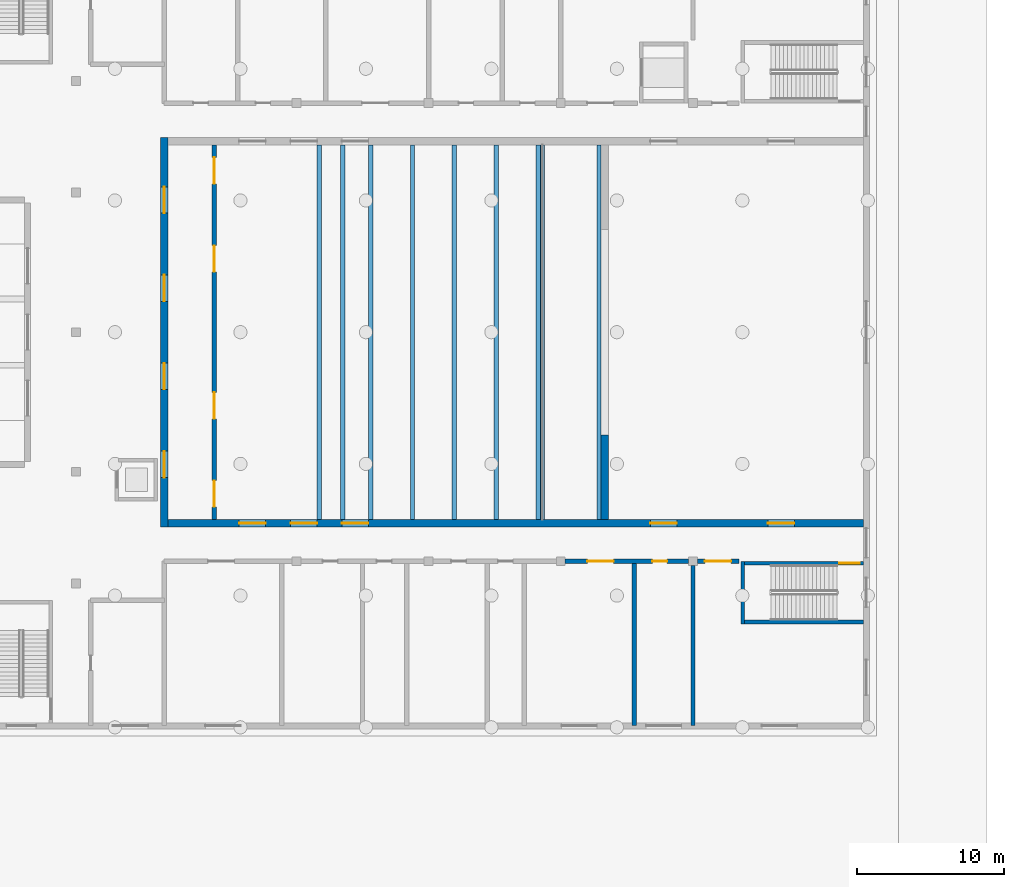
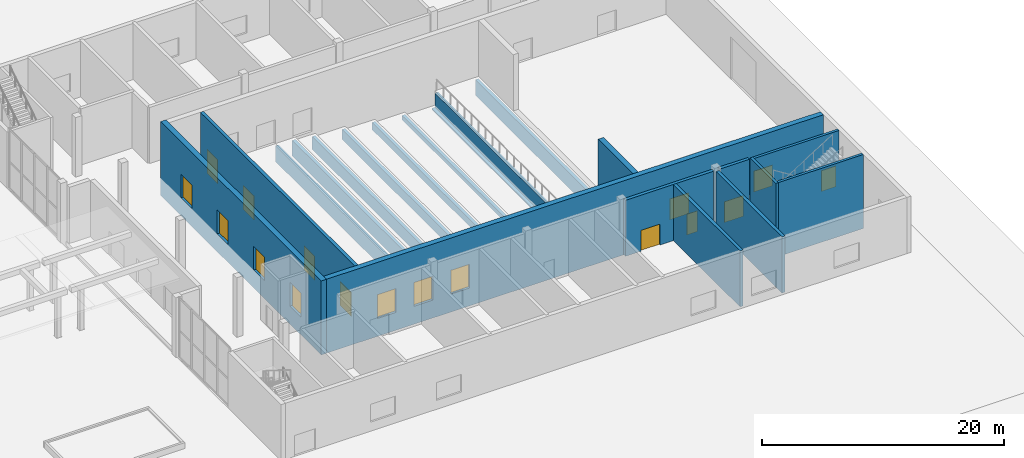
# One storey, part 25 of 47: 20 walls, 17 doors, 17 openings.
"""IFC4 building model written with IfcOpenShell, lengths in metres."""

from ifc_helpers import new_model, si_unit, direction, frame, frame_2d, origin, place, context, subcontext, project, spatial, rectangle, extrude, material, layer, layer_set, type_object, element, fill, save


model = new_model("IFC4")

# Units and contexts
model_context = context("Model", 3, precision=1e-05, world=origin(), true_north=direction((0.0, 1.0)))
body_context = subcontext(model_context, "Body", "Model", "MODEL_VIEW")
ifc_project = project(units=[si_unit("LENGTHUNIT", "METRE"), si_unit("AREAUNIT", "SQUARE_METRE"), si_unit("VOLUMEUNIT", "CUBIC_METRE"), si_unit("PLANEANGLEUNIT", "RADIAN"), si_unit("MASSUNIT", "GRAM", prefix="KILO")], contexts=[model_context])

# Site, building, storey
site_placement = place(None, origin())
site = spatial("IfcSite", under=ifc_project, at=site_placement, CompositionType="ELEMENT")
building_placement = place(site_placement, origin())
building = spatial("IfcBuilding", under=site, at=building_placement, Name="Hunhe Ridgeline Campus", CompositionType="ELEMENT")
storey_placement = place(building_placement, origin())
storey = spatial("IfcBuildingStorey", under=building, at=storey_placement, Name="L00", CompositionType="ELEMENT", Elevation=0.0)

# Wall, openings, doors
ifc_material_1 = material(Name="Concrete C50", Category="concrete")
ifc_layer_1 = layer(ifc_material_1, 0.5)
ifc_layer_set_1 = layer_set([ifc_layer_1], Name="Auditorium RC wall 500 C50")
wall_type_1 = type_object("IfcWallType", Name="Auditorium RC wall 500 C50", PredefinedType="SOLIDWALL", material=ifc_layer_set_1)
wall_1_placement = place(storey_placement, frame((162.0, 36.25, -1.800048828125), z_axis=(0.0, 0.0, 1.0), x_axis=(0.0, 1.0, 0.0)))
wall_1 = element("IfcWall", 1, at=wall_1_placement, inside=storey, type_object=wall_type_1, Name="Auditorium RC wall L00", PredefinedType="SOLIDWALL", context=body_context, shape_type="SweptSolid", body=[
    extrude(rectangle(XDim=26.5, YDim=0.5, at=frame_2d((13.25, 0.0))), origin(), (0.0, 0.0, 1.0), 7.449951171875),
])
opening_1_placement = place(wall_1_placement, frame((3.35009765625, 0.0, 1.800048828125)))
opening_1 = element("IfcOpeningElement", 2, at=opening_1_placement, cuts=wall_1, Name="Opening HD57", PredefinedType="OPENING", context=body_context, shape_type="SweptSolid", body=[
    extrude(rectangle(XDim=1.800048828125, YDim=2.39990234375, at=frame_2d((0.89990234375, 1.199951171875))), frame((0.0, 0.25, 0.0), z_axis=(0.0, -1.0, 0.0), x_axis=(1.0, 0.0, 0.0)), (0.0, 0.0, 1.0), 0.5),
])
opening_2_placement = place(wall_1_placement, frame((9.35009765625, 0.0, 1.800048828125)))
opening_2 = element("IfcOpeningElement", 3, at=opening_2_placement, cuts=wall_1, Name="Opening HD58", PredefinedType="OPENING", context=body_context, shape_type="SweptSolid", body=[
    extrude(rectangle(XDim=1.800048828125, YDim=2.39990234375, at=frame_2d((0.89990234375, 1.199951171875))), frame((0.0, 0.25, 0.0), z_axis=(0.0, -1.0, 0.0), x_axis=(1.0, 0.0, 0.0)), (0.0, 0.0, 1.0), 0.5),
])
opening_3_placement = place(wall_1_placement, frame((15.35009765625, 0.0, 1.800048828125)))
opening_3 = element("IfcOpeningElement", 4, at=opening_3_placement, cuts=wall_1, Name="Opening HD59", PredefinedType="OPENING", context=body_context, shape_type="SweptSolid", body=[
    extrude(rectangle(XDim=1.800048828125, YDim=2.39990234375, at=frame_2d((0.89990234375, 1.199951171875))), frame((0.0, 0.25, 0.0), z_axis=(0.0, -1.0, 0.0), x_axis=(1.0, 0.0, 0.0)), (0.0, 0.0, 1.0), 0.5),
])
opening_4_placement = place(wall_1_placement, frame((21.35009765625, 0.0, 1.800048828125)))
opening_4 = element("IfcOpeningElement", 5, at=opening_4_placement, cuts=wall_1, Name="Opening HD60", PredefinedType="OPENING", context=body_context, shape_type="SweptSolid", body=[
    extrude(rectangle(XDim=1.800048828125, YDim=2.39990234375, at=frame_2d((0.89990234375, 1.199951171875))), frame((0.0, 0.25, 0.0), z_axis=(0.0, -1.0, 0.0), x_axis=(1.0, 0.0, 0.0)), (0.0, 0.0, 1.0), 0.5),
])
ifc_material_2 = material(Name="Timber and lead-lined core", Category="wood")
door_type_1 = type_object("IfcDoorType", Name="Auditorium acoustic double door 1800x2400", OperationType="DOUBLE_DOOR_SINGLE_SWING", PredefinedType="DOOR", material=ifc_material_2)
door_1_placement = place(opening_1_placement, origin())
door_1 = element("IfcDoor", 6, at=door_1_placement, inside=storey, type_object=door_type_1, Name="Auditorium entrance door", OperationType="DOUBLE_DOOR_SINGLE_SWING", OverallHeight=2.39990234375, OverallWidth=1.800048828125, PredefinedType="DOOR", context=body_context, shape_type="SweptSolid", body=[
    extrude(rectangle(XDim=1.800048828125, YDim=2.39990234375, at=frame_2d((0.89990234375, 1.199951171875))), frame((0.0, 0.02490234375, 0.0), z_axis=(0.0, -1.0, 0.0), x_axis=(1.0, 0.0, 0.0)), (0.0, 0.0, 1.0), 0.050048828125),
])
fill(opening_1, door_1)
door_2_placement = place(opening_2_placement, origin())
door_2 = element("IfcDoor", 7, at=door_2_placement, inside=storey, type_object=door_type_1, Name="Auditorium entrance door", OperationType="DOUBLE_DOOR_SINGLE_SWING", OverallHeight=2.39990234375, OverallWidth=1.800048828125, PredefinedType="DOOR", context=body_context, shape_type="SweptSolid", body=[
    extrude(rectangle(XDim=1.800048828125, YDim=2.39990234375, at=frame_2d((0.89990234375, 1.199951171875))), frame((0.0, 0.02490234375, 0.0), z_axis=(0.0, -1.0, 0.0), x_axis=(1.0, 0.0, 0.0)), (0.0, 0.0, 1.0), 0.050048828125),
])
fill(opening_2, door_2)
door_3_placement = place(opening_3_placement, origin())
door_3 = element("IfcDoor", 8, at=door_3_placement, inside=storey, type_object=door_type_1, Name="Auditorium entrance door", OperationType="DOUBLE_DOOR_SINGLE_SWING", OverallHeight=2.39990234375, OverallWidth=1.800048828125, PredefinedType="DOOR", context=body_context, shape_type="SweptSolid", body=[
    extrude(rectangle(XDim=1.800048828125, YDim=2.39990234375, at=frame_2d((0.89990234375, 1.199951171875))), frame((0.0, 0.02490234375, 0.0), z_axis=(0.0, -1.0, 0.0), x_axis=(1.0, 0.0, 0.0)), (0.0, 0.0, 1.0), 0.050048828125),
])
fill(opening_3, door_3)
door_4_placement = place(opening_4_placement, origin())
door_4 = element("IfcDoor", 9, at=door_4_placement, inside=storey, type_object=door_type_1, Name="Auditorium entrance door", OperationType="DOUBLE_DOOR_SINGLE_SWING", OverallHeight=2.39990234375, OverallWidth=1.800048828125, PredefinedType="DOOR", context=body_context, shape_type="SweptSolid", body=[
    extrude(rectangle(XDim=1.800048828125, YDim=2.39990234375, at=frame_2d((0.89990234375, 1.199951171875))), frame((0.0, 0.02490234375, 0.0), z_axis=(0.0, -1.0, 0.0), x_axis=(1.0, 0.0, 0.0)), (0.0, 0.0, 1.0), 0.050048828125),
])
fill(opening_4, door_4)

wall_2_placement = place(storey_placement, frame((209.60009765625, 36.5, -1.800048828125), z_axis=(0.0, 0.0, 1.0), x_axis=(-1.0, 0.0, 0.0)))
wall_2 = element("IfcWall", 10, at=wall_2_placement, inside=storey, type_object=wall_type_1, Name="Auditorium RC wall L00", PredefinedType="SOLIDWALL", context=body_context, shape_type="SweptSolid", body=[
    extrude(rectangle(XDim=47.35009765625, YDim=0.5, at=frame_2d((23.675048828125, 0.0))), origin(), (0.0, 0.0, 1.0), 7.449951171875),
])
opening_5_placement = place(wall_2_placement, frame((40.699951171875, 0.0, 1.800048828125)))
opening_5 = element("IfcOpeningElement", 11, at=opening_5_placement, cuts=wall_2, Name="Opening HD65", PredefinedType="OPENING", context=body_context, shape_type="SweptSolid", body=[
    extrude(rectangle(XDim=1.800048828125, YDim=2.39990234375, at=frame_2d((0.89990234375, 1.199951171875))), frame((0.0, 0.25, 0.0), z_axis=(0.0, -1.0, 0.0), x_axis=(1.0, 0.0, 0.0)), (0.0, 0.0, 1.0), 0.5),
])
opening_6_placement = place(wall_2_placement, frame((37.199951171875, 0.0, 1.800048828125)))
opening_6 = element("IfcOpeningElement", 12, at=opening_6_placement, cuts=wall_2, Name="Opening HD67", PredefinedType="OPENING", context=body_context, shape_type="SweptSolid", body=[
    extrude(rectangle(XDim=1.800048828125, YDim=2.39990234375, at=frame_2d((0.89990234375, 1.199951171875))), frame((0.0, 0.25, 0.0), z_axis=(0.0, -1.0, 0.0), x_axis=(1.0, 0.0, 0.0)), (0.0, 0.0, 1.0), 0.5),
])
opening_7_placement = place(wall_2_placement, frame((33.699951171875, 0.0, 1.800048828125)))
opening_7 = element("IfcOpeningElement", 13, at=opening_7_placement, cuts=wall_2, Name="Opening HD69", PredefinedType="OPENING", context=body_context, shape_type="SweptSolid", body=[
    extrude(rectangle(XDim=1.800048828125, YDim=2.39990234375, at=frame_2d((0.89990234375, 1.199951171875))), frame((0.0, 0.25, 0.0), z_axis=(0.0, -1.0, 0.0), x_axis=(1.0, 0.0, 0.0)), (0.0, 0.0, 1.0), 0.5),
])
opening_8_placement = place(wall_2_placement, frame((12.699951171875, 0.0, 1.800048828125)))
opening_8 = element("IfcOpeningElement", 14, at=opening_8_placement, cuts=wall_2, Name="Opening HD71", PredefinedType="OPENING", context=body_context, shape_type="SweptSolid", body=[
    extrude(rectangle(XDim=1.800048828125, YDim=2.10009765625, at=frame_2d((0.89990234375, 1.050048828125))), frame((0.0, 0.25, 0.0), z_axis=(0.0, -1.0, 0.0), x_axis=(1.0, 0.0, 0.0)), (0.0, 0.0, 1.0), 0.5),
])
opening_9_placement = place(wall_2_placement, frame((4.699951171875, 0.0, 1.800048828125)))
opening_9 = element("IfcOpeningElement", 15, at=opening_9_placement, cuts=wall_2, Name="Opening HD73", PredefinedType="OPENING", context=body_context, shape_type="SweptSolid", body=[
    extrude(rectangle(XDim=1.800048828125, YDim=2.10009765625, at=frame_2d((0.89990234375, 1.050048828125))), frame((0.0, 0.25, 0.0), z_axis=(0.0, -1.0, 0.0), x_axis=(1.0, 0.0, 0.0)), (0.0, 0.0, 1.0), 0.5),
])
door_5_placement = place(opening_5_placement, origin())
door_5 = element("IfcDoor", 16, at=door_5_placement, inside=storey, type_object=door_type_1, Name="Stalls side exit door", OperationType="DOUBLE_DOOR_SINGLE_SWING", OverallHeight=2.39990234375, OverallWidth=1.800048828125, PredefinedType="DOOR", context=body_context, shape_type="SweptSolid", body=[
    extrude(rectangle(XDim=1.800048828125, YDim=2.39990234375, at=frame_2d((0.89990234375, 1.199951171875))), frame((0.0, 0.02490234375, 0.0), z_axis=(0.0, -1.0, 0.0), x_axis=(1.0, 0.0, 0.0)), (0.0, 0.0, 1.0), 0.050048828125),
])
fill(opening_5, door_5)
door_6_placement = place(opening_6_placement, origin())
door_6 = element("IfcDoor", 17, at=door_6_placement, inside=storey, type_object=door_type_1, Name="Stalls side exit door", OperationType="DOUBLE_DOOR_SINGLE_SWING", OverallHeight=2.39990234375, OverallWidth=1.800048828125, PredefinedType="DOOR", context=body_context, shape_type="SweptSolid", body=[
    extrude(rectangle(XDim=1.800048828125, YDim=2.39990234375, at=frame_2d((0.89990234375, 1.199951171875))), frame((0.0, 0.02490234375, 0.0), z_axis=(0.0, -1.0, 0.0), x_axis=(1.0, 0.0, 0.0)), (0.0, 0.0, 1.0), 0.050048828125),
])
fill(opening_6, door_6)
door_7_placement = place(opening_7_placement, origin())
door_7 = element("IfcDoor", 18, at=door_7_placement, inside=storey, type_object=door_type_1, Name="Stalls side exit door", OperationType="DOUBLE_DOOR_SINGLE_SWING", OverallHeight=2.39990234375, OverallWidth=1.800048828125, PredefinedType="DOOR", context=body_context, shape_type="SweptSolid", body=[
    extrude(rectangle(XDim=1.800048828125, YDim=2.39990234375, at=frame_2d((0.89990234375, 1.199951171875))), frame((0.0, 0.02490234375, 0.0), z_axis=(0.0, -1.0, 0.0), x_axis=(1.0, 0.0, 0.0)), (0.0, 0.0, 1.0), 0.050048828125),
])
fill(opening_7, door_7)
ifc_material_3 = material(Name="Timber", Category="wood")
door_type_2 = type_object("IfcDoorType", Name="Hall timber double door 1800x2100", OperationType="DOUBLE_DOOR_SINGLE_SWING", PredefinedType="DOOR", material=ifc_material_3)
door_8_placement = place(opening_8_placement, origin())
door_8 = element("IfcDoor", 19, at=door_8_placement, inside=storey, type_object=door_type_2, Name="Stage door", OperationType="DOUBLE_DOOR_SINGLE_SWING", OverallHeight=2.10009765625, OverallWidth=1.800048828125, PredefinedType="DOOR", context=body_context, shape_type="SweptSolid", body=[
    extrude(rectangle(XDim=1.800048828125, YDim=2.10009765625, at=frame_2d((0.89990234375, 1.050048828125))), frame((0.0, 0.02490234375, 0.0), z_axis=(0.0, -1.0, 0.0), x_axis=(1.0, 0.0, 0.0)), (0.0, 0.0, 1.0), 0.050048828125),
])
fill(opening_8, door_8)
door_9_placement = place(opening_9_placement, origin())
door_9 = element("IfcDoor", 20, at=door_9_placement, inside=storey, type_object=door_type_2, Name="Stage door", OperationType="DOUBLE_DOOR_SINGLE_SWING", OverallHeight=2.10009765625, OverallWidth=1.800048828125, PredefinedType="DOOR", context=body_context, shape_type="SweptSolid", body=[
    extrude(rectangle(XDim=1.800048828125, YDim=2.10009765625, at=frame_2d((0.89990234375, 1.050048828125))), frame((0.0, 0.02490234375, 0.0), z_axis=(0.0, -1.0, 0.0), x_axis=(1.0, 0.0, 0.0)), (0.0, 0.0, 1.0), 0.050048828125),
])
fill(opening_9, door_9)

# Wall
wall_3_placement = place(storey_placement, frame((192.0, 36.75, -1.800048828125), z_axis=(0.0, 0.0, 1.0), x_axis=(0.0, 1.0, 0.0)))
element("IfcWall", 21, at=wall_3_placement, inside=storey, type_object=wall_type_1, Name="Auditorium RC wall L00", PredefinedType="SOLIDWALL", context=body_context, shape_type="SweptSolid", body=[
    extrude(rectangle(XDim=5.75, YDim=0.5, at=frame_2d((2.875, 0.0))), origin(), (0.0, 0.0, 1.0), 7.449951171875),
])

# Wall, openings, doors
ifc_material_4 = material(Name="Plastered blockwork", Category="masonry")
ifc_layer_2 = layer(ifc_material_4, 0.300048828125)
ifc_layer_set_2 = layer_set([ifc_layer_2], Name="Hall blockwork partition 300")
wall_type_2 = type_object("IfcWallType", Name="Hall blockwork partition 300", PredefinedType="PARTITIONING", material=ifc_layer_set_2)
wall_4_placement = place(storey_placement, frame((165.39990234375, 36.75, 0.0), z_axis=(0.0, 0.0, 1.0), x_axis=(0.0, 1.0, 0.0)))
wall_4 = element("IfcWall", 22, at=wall_4_placement, inside=storey, type_object=wall_type_2, Name="Sound-lock partition", PredefinedType="PARTITIONING", context=body_context, shape_type="SweptSolid", body=[
    extrude(rectangle(XDim=25.5, YDim=0.300048828125, at=frame_2d((12.75, 0.0))), origin(), (0.0, 0.0, 1.0), 5.64990234375),
])
opening_10_placement = place(wall_4_placement, frame((0.85009765625, 0.0, 0.0)))
opening_10 = element("IfcOpeningElement", 23, at=opening_10_placement, cuts=wall_4, Name="Opening HD61", PredefinedType="OPENING", context=body_context, shape_type="SweptSolid", body=[
    extrude(rectangle(XDim=1.800048828125, YDim=2.39990234375, at=frame_2d((0.89990234375, 1.199951171875))), frame((0.0, 0.14990234375, 0.0), z_axis=(0.0, -1.0, 0.0), x_axis=(1.0, 0.0, 0.0)), (0.0, 0.0, 1.0), 0.300048828125),
])
opening_11_placement = place(wall_4_placement, frame((6.85009765625, 0.0, 0.0)))
opening_11 = element("IfcOpeningElement", 24, at=opening_11_placement, cuts=wall_4, Name="Opening HD62", PredefinedType="OPENING", context=body_context, shape_type="SweptSolid", body=[
    extrude(rectangle(XDim=1.800048828125, YDim=2.39990234375, at=frame_2d((0.89990234375, 1.199951171875))), frame((0.0, 0.14990234375, 0.0), z_axis=(0.0, -1.0, 0.0), x_axis=(1.0, 0.0, 0.0)), (0.0, 0.0, 1.0), 0.300048828125),
])
opening_12_placement = place(wall_4_placement, frame((16.85009765625, 0.0, 0.0)))
opening_12 = element("IfcOpeningElement", 25, at=opening_12_placement, cuts=wall_4, Name="Opening HD63", PredefinedType="OPENING", context=body_context, shape_type="SweptSolid", body=[
    extrude(rectangle(XDim=1.800048828125, YDim=2.39990234375, at=frame_2d((0.89990234375, 1.199951171875))), frame((0.0, 0.14990234375, 0.0), z_axis=(0.0, -1.0, 0.0), x_axis=(1.0, 0.0, 0.0)), (0.0, 0.0, 1.0), 0.300048828125),
])
opening_13_placement = place(wall_4_placement, frame((22.85009765625, 0.0, 0.0)))
opening_13 = element("IfcOpeningElement", 26, at=opening_13_placement, cuts=wall_4, Name="Opening HD64", PredefinedType="OPENING", context=body_context, shape_type="SweptSolid", body=[
    extrude(rectangle(XDim=1.800048828125, YDim=2.39990234375, at=frame_2d((0.89990234375, 1.199951171875))), frame((0.0, 0.14990234375, 0.0), z_axis=(0.0, -1.0, 0.0), x_axis=(1.0, 0.0, 0.0)), (0.0, 0.0, 1.0), 0.300048828125),
])
door_10_placement = place(opening_10_placement, origin())
door_10 = element("IfcDoor", 27, at=door_10_placement, inside=storey, type_object=door_type_1, Name="Sound-lock inner door", OperationType="DOUBLE_DOOR_SINGLE_SWING", OverallHeight=2.39990234375, OverallWidth=1.800048828125, PredefinedType="DOOR", context=body_context, shape_type="SweptSolid", body=[
    extrude(rectangle(XDim=1.800048828125, YDim=2.39990234375, at=frame_2d((0.89990234375, 1.199951171875))), frame((0.0, 0.02490234375, 0.0), z_axis=(0.0, -1.0, 0.0), x_axis=(1.0, 0.0, 0.0)), (0.0, 0.0, 1.0), 0.050048828125),
])
fill(opening_10, door_10)
door_11_placement = place(opening_11_placement, origin())
door_11 = element("IfcDoor", 28, at=door_11_placement, inside=storey, type_object=door_type_1, Name="Sound-lock inner door", OperationType="DOUBLE_DOOR_SINGLE_SWING", OverallHeight=2.39990234375, OverallWidth=1.800048828125, PredefinedType="DOOR", context=body_context, shape_type="SweptSolid", body=[
    extrude(rectangle(XDim=1.800048828125, YDim=2.39990234375, at=frame_2d((0.89990234375, 1.199951171875))), frame((0.0, 0.02490234375, 0.0), z_axis=(0.0, -1.0, 0.0), x_axis=(1.0, 0.0, 0.0)), (0.0, 0.0, 1.0), 0.050048828125),
])
fill(opening_11, door_11)
door_12_placement = place(opening_12_placement, origin())
door_12 = element("IfcDoor", 29, at=door_12_placement, inside=storey, type_object=door_type_1, Name="Sound-lock inner door", OperationType="DOUBLE_DOOR_SINGLE_SWING", OverallHeight=2.39990234375, OverallWidth=1.800048828125, PredefinedType="DOOR", context=body_context, shape_type="SweptSolid", body=[
    extrude(rectangle(XDim=1.800048828125, YDim=2.39990234375, at=frame_2d((0.89990234375, 1.199951171875))), frame((0.0, 0.02490234375, 0.0), z_axis=(0.0, -1.0, 0.0), x_axis=(1.0, 0.0, 0.0)), (0.0, 0.0, 1.0), 0.050048828125),
])
fill(opening_12, door_12)
door_13_placement = place(opening_13_placement, origin())
door_13 = element("IfcDoor", 30, at=door_13_placement, inside=storey, type_object=door_type_1, Name="Sound-lock inner door", OperationType="DOUBLE_DOOR_SINGLE_SWING", OverallHeight=2.39990234375, OverallWidth=1.800048828125, PredefinedType="DOOR", context=body_context, shape_type="SweptSolid", body=[
    extrude(rectangle(XDim=1.800048828125, YDim=2.39990234375, at=frame_2d((0.89990234375, 1.199951171875))), frame((0.0, 0.02490234375, 0.0), z_axis=(0.0, -1.0, 0.0), x_axis=(1.0, 0.0, 0.0)), (0.0, 0.0, 1.0), 0.050048828125),
])
fill(opening_13, door_13)

wall_5_placement = place(storey_placement, frame((189.300048828125, 33.89990234375, 0.0), z_axis=(0.0, 0.0, 1.0), x_axis=(1.0, 0.0, 0.0)))
wall_5 = element("IfcWall", 31, at=wall_5_placement, inside=storey, type_object=wall_type_2, Name="L00 partition", PredefinedType="PARTITIONING", context=body_context, shape_type="SweptSolid", body=[
    extrude(rectangle(XDim=8.39990234375, YDim=0.300048828125, at=frame_2d((4.199951171875, 0.0))), origin(), (0.0, 0.0, 1.0), 5.64990234375),
])
opening_14_placement = place(wall_5_placement, frame((1.5, 0.0, 0.0)))
opening_14 = element("IfcOpeningElement", 32, at=opening_14_placement, cuts=wall_5, Name="Opening HD08", PredefinedType="OPENING", context=body_context, shape_type="SweptSolid", body=[
    extrude(rectangle(XDim=1.800048828125, YDim=2.10009765625, at=frame_2d((0.89990234375, 1.050048828125))), frame((0.0, 0.14990234375, 0.0), z_axis=(0.0, -1.0, 0.0), x_axis=(1.0, 0.0, 0.0)), (0.0, 0.0, 1.0), 0.300048828125),
])
opening_15_placement = place(wall_5_placement, frame((5.929931640625, 0.0, 0.0)))
opening_15 = element("IfcOpeningElement", 33, at=opening_15_placement, cuts=wall_5, Name="Opening HD09", PredefinedType="OPENING", context=body_context, shape_type="SweptSolid", body=[
    extrude(rectangle(XDim=1.0, YDim=2.10009765625, at=frame_2d((0.5, 1.050048828125))), frame((0.0, 0.14990234375, 0.0), z_axis=(0.0, -1.0, 0.0), x_axis=(1.0, 0.0, 0.0)), (0.0, 0.0, 1.0), 0.300048828125),
])
door_type_3 = type_object("IfcDoorType", Name="Hall timber door 1000x2100", OperationType="NOTDEFINED", PredefinedType="DOOR", material=ifc_material_3)
door_14_placement = place(opening_15_placement, origin())
door_14 = element("IfcDoor", 34, at=door_14_placement, inside=storey, type_object=door_type_3, Name="Dressing room 3 door", OperationType="SINGLE_SWING_RIGHT", OverallHeight=2.10009765625, OverallWidth=1.0, PredefinedType="DOOR", context=body_context, shape_type="SweptSolid", body=[
    extrude(rectangle(XDim=1.0, YDim=2.10009765625, at=frame_2d((0.5, 1.050048828125))), frame((0.0, 0.02490234375, 0.0), z_axis=(0.0, -1.0, 0.0), x_axis=(1.0, 0.0, 0.0)), (0.0, 0.0, 1.0), 0.050048828125),
])
fill(opening_15, door_14)
door_15_placement = place(opening_14_placement, origin())
door_15 = element("IfcDoor", 35, at=door_15_placement, inside=storey, type_object=door_type_2, Name="Dressing room 1 door", OperationType="DOUBLE_DOOR_SINGLE_SWING", OverallHeight=2.10009765625, OverallWidth=1.800048828125, PredefinedType="DOOR", context=body_context, shape_type="SweptSolid", body=[
    extrude(rectangle(XDim=1.800048828125, YDim=2.10009765625, at=frame_2d((0.89990234375, 1.050048828125))), frame((0.0, 0.02490234375, 0.0), z_axis=(0.0, -1.0, 0.0), x_axis=(1.0, 0.0, 0.0)), (0.0, 0.0, 1.0), 0.050048828125),
])
fill(opening_14, door_15)

# Wall, opening, door
wall_6_placement = place(storey_placement, frame((198.300048828125, 33.89990234375, 0.0), z_axis=(0.0, 0.0, 1.0), x_axis=(1.0, 0.0, 0.0)))
wall_6 = element("IfcWall", 36, at=wall_6_placement, inside=storey, type_object=wall_type_2, Name="L00 partition", PredefinedType="PARTITIONING", context=body_context, shape_type="SweptSolid", body=[
    extrude(rectangle(XDim=2.820068359375, YDim=0.300048828125, at=frame_2d((1.41015625, 0.0))), origin(), (0.0, 0.0, 1.0), 5.64990234375),
])
opening_16_placement = place(wall_6_placement, frame((0.5, 0.0, 0.0)))
opening_16 = element("IfcOpeningElement", 37, at=opening_16_placement, cuts=wall_6, Name="Opening HD10", PredefinedType="OPENING", context=body_context, shape_type="SweptSolid", body=[
    extrude(rectangle(XDim=1.800048828125, YDim=2.10009765625, at=frame_2d((0.89990234375, 1.050048828125))), frame((0.0, 0.14990234375, 0.0), z_axis=(0.0, -1.0, 0.0), x_axis=(1.0, 0.0, 0.0)), (0.0, 0.0, 1.0), 0.300048828125),
])
door_16_placement = place(opening_16_placement, origin())
door_16 = element("IfcDoor", 38, at=door_16_placement, inside=storey, type_object=door_type_2, Name="Green room door", OperationType="DOUBLE_DOOR_SINGLE_SWING", OverallHeight=2.10009765625, OverallWidth=1.800048828125, PredefinedType="DOOR", context=body_context, shape_type="SweptSolid", body=[
    extrude(rectangle(XDim=1.800048828125, YDim=2.10009765625, at=frame_2d((0.89990234375, 1.050048828125))), frame((0.0, 0.02490234375, 0.0), z_axis=(0.0, -1.0, 0.0), x_axis=(1.0, 0.0, 0.0)), (0.0, 0.0, 1.0), 0.050048828125),
])
fill(opening_16, door_16)

# Walls
wall_7_placement = place(storey_placement, frame((194.0, 22.72998046875, 0.0), z_axis=(0.0, 0.0, 1.0), x_axis=(0.0, 1.0, 0.0)))
element("IfcWall", 39, at=wall_7_placement, inside=storey, type_object=wall_type_2, Name="L00 partition", PredefinedType="PARTITIONING", context=body_context, shape_type="SweptSolid", body=[
    extrude(rectangle(XDim=11.18994140625, YDim=0.300048828125, at=frame_2d((5.594970703125, 0.0))), origin(), (0.0, 0.0, 1.0), 5.64990234375),
])
wall_8_placement = place(storey_placement, frame((198.0, 22.72998046875, 0.0), z_axis=(0.0, 0.0, 1.0), x_axis=(0.0, 1.0, 0.0)))
element("IfcWall", 40, at=wall_8_placement, inside=storey, type_object=wall_type_2, Name="L00 partition", PredefinedType="PARTITIONING", context=body_context, shape_type="SweptSolid", body=[
    extrude(rectangle(XDim=10.8701171875, YDim=0.300048828125, at=frame_2d((5.43505859375, 0.0))), origin(), (0.0, 0.0, 1.0), 5.64990234375),
])
ifc_material_5 = material(Name="Concrete C40", Category="concrete")
ifc_layer_3 = layer(ifc_material_5, 0.25)
ifc_layer_set_3 = layer_set([ifc_layer_3], Name="Hall shaft wall 250 C40")
wall_type_3 = type_object("IfcWallType", Name="Hall shaft wall 250 C40", PredefinedType="SOLIDWALL", material=ifc_layer_set_3)
wall_9_placement = place(storey_placement, frame((201.375, 29.64990234375, -1.800048828125), z_axis=(0.0, 0.0, 1.0), x_axis=(0.0, 1.0, 0.0)))
element("IfcWall", 41, at=wall_9_placement, inside=storey, type_object=wall_type_3, Name="L00 stair HS3 shaft wall", PredefinedType="SOLIDWALL", context=body_context, shape_type="SweptSolid", body=[
    extrude(rectangle(XDim=4.25, YDim=0.25, at=frame_2d((2.125, 0.0))), origin(), (0.0, 0.0, 1.0), 7.449951171875),
])
wall_10_placement = place(storey_placement, frame((209.60009765625, 29.77490234375, -1.800048828125), z_axis=(0.0, 0.0, 1.0), x_axis=(-1.0, 0.0, 0.0)))
element("IfcWall", 42, at=wall_10_placement, inside=storey, type_object=wall_type_3, Name="L00 stair HS3 shaft wall", PredefinedType="SOLIDWALL", context=body_context, shape_type="SweptSolid", body=[
    extrude(rectangle(XDim=8.10009765625, YDim=0.25, at=frame_2d((4.050048828125, 0.0))), origin(), (0.0, 0.0, 1.0), 7.449951171875),
])

# Wall, opening, door
wall_11_placement = place(storey_placement, frame((201.5, 33.77490234375, -1.800048828125), z_axis=(0.0, 0.0, 1.0), x_axis=(1.0, 0.0, 0.0)))
wall_11 = element("IfcWall", 43, at=wall_11_placement, inside=storey, type_object=wall_type_3, Name="L00 stair HS3 shaft wall", PredefinedType="SOLIDWALL", context=body_context, shape_type="SweptSolid", body=[
    extrude(rectangle(XDim=8.10009765625, YDim=0.25, at=frame_2d((4.050048828125, 0.0))), origin(), (0.0, 0.0, 1.0), 7.449951171875),
])
opening_17_placement = place(wall_11_placement, frame((6.449951171875, 0.0, 1.800048828125)))
opening_17 = element("IfcOpeningElement", 44, at=opening_17_placement, cuts=wall_11, Name="Opening HD101", PredefinedType="OPENING", context=body_context, shape_type="SweptSolid", body=[
    extrude(rectangle(XDim=1.39990234375, YDim=2.10009765625, at=frame_2d((0.699951171875, 1.050048828125))), frame((0.0, 0.125, 0.0), z_axis=(0.0, -1.0, 0.0), x_axis=(1.0, 0.0, 0.0)), (0.0, 0.0, 1.0), 0.25),
])
ifc_material_6 = material(Name="Steel Q235", Category="steel")
door_type_4 = type_object("IfcDoorType", Name="Hall fire door 1400x2100 FD60", OperationType="NOTDEFINED", PredefinedType="DOOR", material=ifc_material_6)
door_17_placement = place(opening_17_placement, origin())
door_17 = element("IfcDoor", 45, at=door_17_placement, inside=storey, type_object=door_type_4, Name="L00 stair HS3 door", OperationType="SINGLE_SWING_LEFT", OverallHeight=2.10009765625, OverallWidth=1.39990234375, PredefinedType="DOOR", context=body_context, shape_type="SweptSolid", body=[
    extrude(rectangle(XDim=1.39990234375, YDim=2.10009765625, at=frame_2d((0.699951171875, 1.050048828125))), frame((0.0, 0.02490234375, 0.0), z_axis=(0.0, -1.0, 0.0), x_axis=(1.0, 0.0, 0.0)), (0.0, 0.0, 1.0), 0.050048828125),
])
fill(opening_17, door_17)

# Walls
ifc_layer_4 = layer(ifc_material_5, 0.300048828125)
ifc_layer_set_4 = layer_set([ifc_layer_4], Name="Raked seating support wall 300 C40")
wall_type_4 = type_object("IfcWallType", Name="Raked seating support wall 300 C40", PredefinedType="SOLIDWALL", material=ifc_layer_set_4)
wall_12_placement = place(storey_placement, frame((187.449951171875, 36.75, -1.800048828125), z_axis=(0.0, 0.0, 1.0), x_axis=(0.0, 1.0, 0.0)))
element("IfcWall", 46, at=wall_12_placement, inside=storey, type_object=wall_type_4, Name="Stalls seating step 1 support wall", PredefinedType="SOLIDWALL", context=body_context, shape_type="SweptSolid", body=[
    extrude(rectangle(XDim=25.5, YDim=0.300048828125, at=frame_2d((12.75, 0.0))), origin(), (0.0, 0.0, 1.0), 0.135009765625),
])
wall_13_placement = place(storey_placement, frame((184.60009765625, 36.75, -1.800048828125), z_axis=(0.0, 0.0, 1.0), x_axis=(0.0, 1.0, 0.0)))
element("IfcWall", 47, at=wall_13_placement, inside=storey, type_object=wall_type_4, Name="Stalls seating step 2 support wall", PredefinedType="SOLIDWALL", context=body_context, shape_type="SweptSolid", body=[
    extrude(rectangle(XDim=25.5, YDim=0.300048828125, at=frame_2d((12.75, 0.0))), origin(), (0.0, 0.0, 1.0), 0.423095703125),
])
wall_14_placement = place(storey_placement, frame((181.75, 36.75, -1.800048828125), z_axis=(0.0, 0.0, 1.0), x_axis=(0.0, 1.0, 0.0)))
element("IfcWall", 48, at=wall_14_placement, inside=storey, type_object=wall_type_4, Name="Stalls seating step 3 support wall", PredefinedType="SOLIDWALL", context=body_context, shape_type="SweptSolid", body=[
    extrude(rectangle(XDim=25.5, YDim=0.300048828125, at=frame_2d((12.75, 0.0))), origin(), (0.0, 0.0, 1.0), 0.7109375),
])
wall_15_placement = place(storey_placement, frame((178.89990234375, 36.75, -1.800048828125), z_axis=(0.0, 0.0, 1.0), x_axis=(0.0, 1.0, 0.0)))
element("IfcWall", 49, at=wall_15_placement, inside=storey, type_object=wall_type_4, Name="Stalls seating step 4 support wall", PredefinedType="SOLIDWALL", context=body_context, shape_type="SweptSolid", body=[
    extrude(rectangle(XDim=25.5, YDim=0.300048828125, at=frame_2d((12.75, 0.0))), origin(), (0.0, 0.0, 1.0), 0.9990234375),
])
wall_16_placement = place(storey_placement, frame((176.050048828125, 36.75, -1.800048828125), z_axis=(0.0, 0.0, 1.0), x_axis=(0.0, 1.0, 0.0)))
element("IfcWall", 50, at=wall_16_placement, inside=storey, type_object=wall_type_4, Name="Stalls seating step 5 support wall", PredefinedType="SOLIDWALL", context=body_context, shape_type="SweptSolid", body=[
    extrude(rectangle(XDim=25.5, YDim=0.300048828125, at=frame_2d((12.75, 0.0))), origin(), (0.0, 0.0, 1.0), 1.287109375),
])
for number, where, z_axis, x_axis, name in (
    (51, (174.14990234375, 36.75, -1.800048828125), (0.0, 0.0, 1.0), (0.0, 1.0, 0.0), "Stalls seating step 6 support wall"),
    (52, (172.550048828125, 36.75, -1.800048828125), (0.0, 0.0, 1.0), (0.0, 1.0, 0.0), "Stalls seating step 6 support wall"),
    (53, (191.60009765625, 36.75, -1.800048828125), (0.0, 0.0, 1.0), (0.0, 1.0, 0.0), "Stage apron support wall"),
    (54, (187.75, 36.75, -1.800048828125), (0.0, 0.0, 1.0), (0.0, 1.0, 0.0), "Stage apron support wall"),
):
    element("IfcWall", number, at=place(storey_placement, frame(where, z_axis=z_axis, x_axis=x_axis)), inside=storey, type_object=wall_type_4, Name=name, PredefinedType="SOLIDWALL", context=body_context, shape_type="SweptSolid", body=[
        extrude(rectangle(XDim=25.5, YDim=0.300048828125, at=frame_2d((12.75, 0.0))), origin(), (0.0, 0.0, 1.0), 1.574951171875),
    ])

save(model, "model.ifc")
